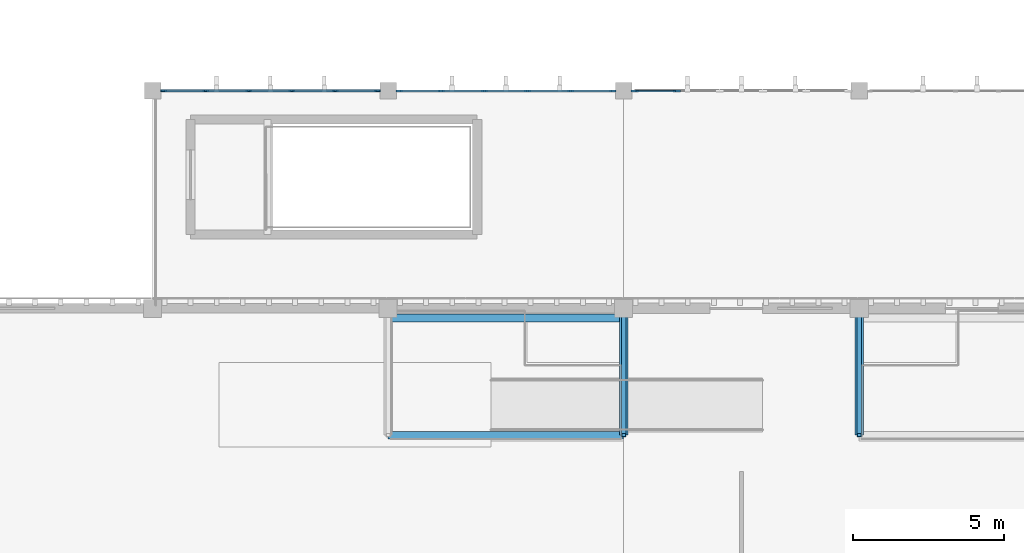
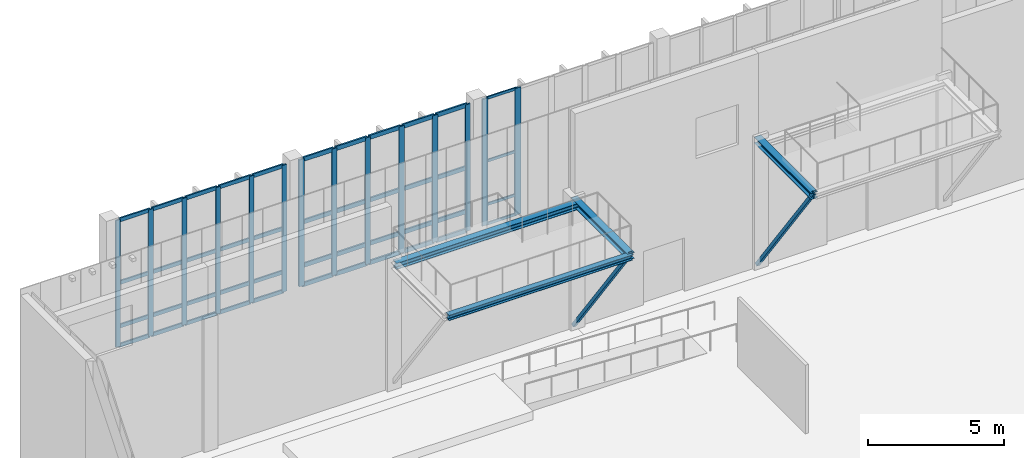
# One storey, part 31 of 105: 60 members, 4 beams, 3 elements without a shape of their own.
"""IFC4 building model written with IfcOpenShell, lengths in metres."""

import ifcopenshell
import ifcopenshell.guid

model = None  # the IFC model being written
_history = None  # IfcOwnerHistory: only IFC2X3 demands one
_inside = {}  # id of a spatial element -> (the spatial element, [elements in it])
_under = {}  # id of a project, library or spatial element -> (it, [spatial elements below it])
_declared = {}  # id of a project -> (the project, [libraries it declares])
_typed = {}  # id of a type object -> (the type object, [elements of that type])
_made_of = {}  # id of a material, layer set ... -> (it, [elements and type objects made of it])


def new_model(schema):
    """Start an empty IFC model of exactly this schema.

    Asked for "IFC4X3", IfcOpenShell would pick the latest addendum, in which some entities
    have other attributes; the version numbers below select the first issue.
    IFC2X3 requires an IfcOwnerHistory on every rooted entity: one is made here for all.
    """
    global model, _history
    if schema == "IFC4X3":
        model = ifcopenshell.file(schema_version=(4, 3, 0, 0))
    else:
        model = ifcopenshell.file(schema=schema)
    _inside.clear()
    _under.clear()
    _declared.clear()
    _typed.clear()
    _made_of.clear()
    _history = None
    if model.schema == "IFC2X3":
        org = make("IfcOrganization", Name="unknown")
        user = make(
            "IfcPersonAndOrganization",
            ThePerson=make("IfcPerson", FamilyName="unknown"),
            TheOrganization=org,
        )
        app = make(
            "IfcApplication",
            ApplicationDeveloper=org,
            Version="unknown",
            ApplicationFullName="unknown",
            ApplicationIdentifier="unknown",
        )
        _history = make(
            "IfcOwnerHistory",
            OwningUser=user,
            OwningApplication=app,
            ChangeAction="ADDED",
            CreationDate=0,
        )
    return model


def make(cls, **values):
    """One entity of the class cls with the attributes given. An attribute that is None is left unset."""
    return model.create_entity(
        cls, **{name: value for name, value in values.items() if value is not None}
    )


def rooted(cls, **values):
    """An entity with a GlobalId (a new one), such as an element, a storey or a relation."""
    return make(cls, GlobalId=ifcopenshell.guid.new(), OwnerHistory=_history, **values)


def si_unit(unit_type, name, prefix=None):
    """IfcSIUnit, for example si_unit("LENGTHUNIT", "METRE", prefix="MILLI")."""
    return make("IfcSIUnit", UnitType=unit_type, Prefix=prefix, Name=name)


def assignment(units):
    """IfcUnitAssignment: the units of a project."""
    return None if units is None else make("IfcUnitAssignment", Units=units)


def point(xyz):
    """IfcCartesianPoint."""
    return None if xyz is None else make("IfcCartesianPoint", Coordinates=xyz)


def direction(xyz):
    """IfcDirection."""
    return None if xyz is None else make("IfcDirection", DirectionRatios=xyz)


def frame(location, z_axis=None, x_axis=None):
    """IfcAxis2Placement3D, a coordinate frame: its origin and axes. An axis left out is left unset."""
    return make(
        "IfcAxis2Placement3D",
        Location=point(location),
        Axis=direction(z_axis),
        RefDirection=direction(x_axis),
    )


def frame_2d(location, x_axis=None):
    """IfcAxis2Placement2D, a coordinate frame in the plane: its origin and x axis."""
    return make(
        "IfcAxis2Placement2D", Location=point(location), RefDirection=direction(x_axis)
    )


def origin():
    """The frame at (0, 0, 0) with its axes left unset."""
    return frame((0.0, 0.0, 0.0))


def origin_2d():
    """The frame at (0, 0) in the plane with its x axis left unset."""
    return frame_2d((0.0, 0.0))


def place(relative_to, where):
    """IfcLocalPlacement: puts the frame where relative to a parent placement (None: the world)."""
    return make(
        "IfcLocalPlacement", PlacementRelTo=relative_to, RelativePlacement=where
    )


def context(
    kind, dimensions, precision=None, world=None, true_north=None, identifier=None
):
    """IfcGeometricRepresentationContext, for example the 3D "Model" context."""
    return make(
        "IfcGeometricRepresentationContext",
        ContextIdentifier=identifier,
        ContextType=kind,
        CoordinateSpaceDimension=dimensions,
        Precision=precision,
        WorldCoordinateSystem=world,
        TrueNorth=true_north,
    )


def subcontext(parent, identifier, kind, view, scale=None):
    """IfcGeometricRepresentationSubContext, for example "Body" below "Model"."""
    return make(
        "IfcGeometricRepresentationSubContext",
        ContextIdentifier=identifier,
        ContextType=kind,
        ParentContext=parent,
        TargetScale=scale,
        TargetView=view,
    )


def project(units=None, contexts=None):
    """IfcProject with its units and contexts."""
    return rooted(
        "IfcProject",
        Name="project",
        RepresentationContexts=contexts,
        UnitsInContext=assignment(units),
    )


def spatial(cls, under=None, at=None, **own):
    """A site, building, storey or space (cls), placed at a placement, below another one or the project."""
    s = rooted(cls, ObjectPlacement=at, **own)
    if under is not None:
        _under.setdefault(under.id(), (under, []))[1].append(s)
    return s


def profile(cls, at=None, kind="AREA", **sizes):
    """A parametric profile (cls). Its sizes go by their IFC names, for example OverallWidth=200.0."""
    return make(cls, ProfileType=kind, Position=at, **sizes)


def rectangle(**sizes):
    """IfcRectangleProfileDef."""
    return profile("IfcRectangleProfileDef", **sizes)


def hollow_rectangle(**sizes):
    """IfcRectangleHollowProfileDef."""
    return profile("IfcRectangleHollowProfileDef", **sizes)


def i_section(**sizes):
    """IfcIShapeProfileDef."""
    return profile("IfcIShapeProfileDef", **sizes)


def extrude(swept, where, along, depth):
    """IfcExtrudedAreaSolid: the profile swept, set in the frame where, extruded along a direction by depth."""
    return make(
        "IfcExtrudedAreaSolid",
        SweptArea=swept,
        Position=where,
        ExtrudedDirection=direction(along),
        Depth=depth,
    )


def shape(context_of_items, identifier, shape_type, items):
    """IfcShapeRepresentation: the items that make up one representation, for example the "Body"."""
    return make(
        "IfcShapeRepresentation",
        ContextOfItems=context_of_items,
        RepresentationIdentifier=identifier,
        RepresentationType=shape_type,
        Items=items,
    )


def material(Name=None, Category=None):
    """IfcMaterial."""
    return make("IfcMaterial", Name=Name, Category=Category)


def material_profile(
    of_material, cross_section, Name=None, Category=None, Priority=None
):
    """IfcMaterialProfile: a cross section and its material."""
    return make(
        "IfcMaterialProfile",
        Name=Name,
        Material=of_material,
        Profile=cross_section,
        Priority=Priority,
        Category=Category,
    )


def profile_set(profiles, Name=None, composite=None):
    """IfcMaterialProfileSet."""
    return make(
        "IfcMaterialProfileSet",
        Name=Name,
        MaterialProfiles=profiles,
        CompositeProfile=composite,
    )


def made_of(thing, what):
    """Note that an element or type object is made of a material, layer set ...; save() writes the relation."""
    if what is not None:
        _made_of.setdefault(what.id(), (what, []))[1].append(thing)
    return thing


def type_object(cls, material=None, **own):
    """A type object (cls), such as IfcWallType, which elements share."""
    return made_of(rooted(cls, **own), material)


def element(
    cls,
    number,
    at=None,
    inside=None,
    cuts=None,
    type_object=None,
    material=None,
    context=None,
    identifier="Body",
    shape_type=None,
    held_by="IfcProductDefinitionShape",
    body=None,
    shapes=None,
    **own,
):
    """One element of the class cls, such as IfcWall. Its Tag is "e" and its number.

    at: its placement. inside: the storey or other place that contains it. cuts: it is an
    opening in that element (IfcRelVoidsElement). A single representation is given by context,
    identifier, shape_type and body (its items); several are given by shapes. held_by: the class
    of the entity that holds the representations. save() writes the other relations.
    """
    e = rooted(cls, Tag="e%d" % number, ObjectPlacement=at, **own)
    if body is not None:
        shapes = [shape(context, identifier, shape_type, body)]
    if shapes is not None:
        e.Representation = make(held_by, Representations=shapes)
    if inside is not None:
        _inside.setdefault(inside.id(), (inside, []))[1].append(e)
    if cuts is not None:
        rooted(
            "IfcRelVoidsElement", RelatingBuildingElement=cuts, RelatedOpeningElement=e
        )
    if type_object is not None:
        _typed.setdefault(type_object.id(), (type_object, []))[1].append(e)
    return made_of(e, material)


def aggregate(whole, parts):
    """IfcRelAggregates: a whole, such as a stair, and the parts it consists of."""
    return rooted("IfcRelAggregates", RelatingObject=whole, RelatedObjects=parts)


def save(model, path):
    """Write the relations noted so far, then the file.

    IfcRelAggregates (storeys below a building ...), IfcRelContainedInSpatialStructure (elements
    in a storey), IfcRelDefinesByType, IfcRelAssociatesMaterial and IfcRelDeclares: one each for
    every whole, place, type object, material and project.
    """
    for whole, parts in _under.values():
        aggregate(whole, parts)
    for where, things in _inside.values():
        rooted(
            "IfcRelContainedInSpatialStructure",
            RelatedElements=things,
            RelatingStructure=where,
        )
    for kind, things in _typed.values():
        rooted("IfcRelDefinesByType", RelatedObjects=things, RelatingType=kind)
    for what, things in _made_of.values():
        rooted("IfcRelAssociatesMaterial", RelatedObjects=things, RelatingMaterial=what)
    for by, libraries in _declared.values():
        rooted("IfcRelDeclares", RelatingContext=by, RelatedDefinitions=libraries)
    model.write(path)


model = new_model("IFC4")

# Units and contexts
model_context = context("Model", 3, precision=1e-05, world=origin(), true_north=direction((0.0, 1.0)))
body_context = subcontext(model_context, "Body", "Model", "MODEL_VIEW")
ifc_project = project(units=[si_unit("LENGTHUNIT", "METRE"), si_unit("AREAUNIT", "SQUARE_METRE"), si_unit("VOLUMEUNIT", "CUBIC_METRE"), si_unit("PLANEANGLEUNIT", "RADIAN"), si_unit("MASSUNIT", "GRAM", prefix="KILO")], contexts=[model_context])

# Site, building, storey
site_placement = place(None, origin())
site = spatial("IfcSite", under=ifc_project, at=site_placement, CompositionType="ELEMENT")
building_placement = place(site_placement, origin())
building = spatial("IfcBuilding", under=site, at=building_placement, Name="Tizgana Railside Sports Hall", CompositionType="ELEMENT")
storey_placement = place(building_placement, frame((0.0, 0.0, 6.0)))
storey = spatial("IfcBuildingStorey", under=building, at=storey_placement, Name="L01", CompositionType="ELEMENT", Elevation=6.0)

# Curtain wall, members
ifc_material_1 = material(Name="Anodised aluminium and glass", Category="aluminium")
curtain_wall_type_1 = type_object("IfcCurtainWallType", Name="Unitised Curtain Wall Foyer 1300", PredefinedType="NOTDEFINED", material=ifc_material_1)
curtain_wall_1_placement = place(storey_placement, origin())
curtain_wall_1 = element("IfcCurtainWall", 1, at=curtain_wall_1_placement, inside=storey, type_object=curtain_wall_type_1, Name="L01 Curtain Wall CW-0009", PredefinedType="NOTDEFINED")
ifc_material_2 = material(Name="Anodised aluminium", Category="aluminium")
ifc_material_profile_1 = material_profile(ifc_material_2, rectangle(XDim=0.06494140625, YDim=0.199951171875, at=origin_2d()), Name="Mullion 65x200")
ifc_profile_set_1 = profile_set([ifc_material_profile_1], Name="Anodised aluminium")
member_type_1 = type_object("IfcMemberType", Name="Mullion 65x200", PredefinedType="MULLION", material=ifc_profile_set_1)
member_1_placement = place(storey_placement, frame((8.16259765625, 80.39990234375, 0.0), z_axis=(0.0, 0.0, 1.0), x_axis=(0.0, 1.0, 0.0)))
member_1 = element("IfcMember", 2, at=member_1_placement, type_object=member_type_1, Name="CW-02 mullion 1", PredefinedType="MULLION", context=body_context, shape_type="SweptSolid", body=[
    extrude(rectangle(XDim=0.06494140625, YDim=0.199951171875, at=origin_2d()), origin(), (0.0, 0.0, 1.0), 5.699951171875),
])
member_2_placement = place(storey_placement, frame((9.55810546875, 80.39990234375, 0.0), z_axis=(0.0, 0.0, 1.0), x_axis=(0.0, 1.0, 0.0)))
member_2 = element("IfcMember", 3, at=member_2_placement, type_object=member_type_1, Name="CW-02 mullion 2", PredefinedType="MULLION", context=body_context, shape_type="SweptSolid", body=[
    extrude(rectangle(XDim=0.06494140625, YDim=0.199951171875, at=origin_2d()), origin(), (0.0, 0.0, 1.0), 5.699951171875),
])
member_3_placement = place(storey_placement, frame((10.986083984375, 80.39990234375, 0.0), z_axis=(0.0, 0.0, 1.0), x_axis=(0.0, 1.0, 0.0)))
member_3 = element("IfcMember", 4, at=member_3_placement, type_object=member_type_1, Name="CW-02 mullion 3", PredefinedType="MULLION", context=body_context, shape_type="SweptSolid", body=[
    extrude(rectangle(XDim=0.06494140625, YDim=0.199951171875, at=origin_2d()), origin(), (0.0, 0.0, 1.0), 5.699951171875),
])
member_4_placement = place(storey_placement, frame((12.4140625, 80.39990234375, 0.0), z_axis=(0.0, 0.0, 1.0), x_axis=(0.0, 1.0, 0.0)))
member_4 = element("IfcMember", 5, at=member_4_placement, type_object=member_type_1, Name="CW-02 mullion 4", PredefinedType="MULLION", context=body_context, shape_type="SweptSolid", body=[
    extrude(rectangle(XDim=0.06494140625, YDim=0.199951171875, at=origin_2d()), origin(), (0.0, 0.0, 1.0), 5.699951171875),
])
member_5_placement = place(storey_placement, frame((13.842041015625, 80.39990234375, 0.0), z_axis=(0.0, 0.0, 1.0), x_axis=(0.0, 1.0, 0.0)))
member_5 = element("IfcMember", 6, at=member_5_placement, type_object=member_type_1, Name="CW-02 mullion 5", PredefinedType="MULLION", context=body_context, shape_type="SweptSolid", body=[
    extrude(rectangle(XDim=0.06494140625, YDim=0.199951171875, at=origin_2d()), origin(), (0.0, 0.0, 1.0), 5.699951171875),
])
member_6_placement = place(storey_placement, frame((15.237548828125, 80.39990234375, 0.0), z_axis=(0.0, 0.0, 1.0), x_axis=(0.0, 1.0, 0.0)))
member_6 = element("IfcMember", 7, at=member_6_placement, type_object=member_type_1, Name="CW-02 mullion 6", PredefinedType="MULLION", context=body_context, shape_type="SweptSolid", body=[
    extrude(rectangle(XDim=0.06494140625, YDim=0.199951171875, at=origin_2d()), origin(), (0.0, 0.0, 1.0), 5.699951171875),
])

curtain_wall_type_2 = type_object("IfcCurtainWallType", Name="Unitised Curtain Wall Studio 1400", PredefinedType="NOTDEFINED", material=ifc_material_1)
curtain_wall_2_placement = place(storey_placement, origin())
curtain_wall_2 = element("IfcCurtainWall", 8, at=curtain_wall_2_placement, inside=storey, type_object=curtain_wall_type_2, Name="L01 Curtain Wall CW-0010", PredefinedType="NOTDEFINED")
ifc_material_profile_2 = material_profile(ifc_material_2, rectangle(XDim=0.070068359375, YDim=0.219970703125, at=origin_2d()), Name="Mullion 70x220")
ifc_profile_set_2 = profile_set([ifc_material_profile_2], Name="Anodised aluminium")
member_type_2 = type_object("IfcMemberType", Name="Mullion 70x220", PredefinedType="MULLION", material=ifc_profile_set_2)
member_7_placement = place(storey_placement, frame((15.965087890625, 80.39990234375, 0.0), z_axis=(0.0, 0.0, 1.0), x_axis=(0.0, 1.0, 0.0)))
member_7 = element("IfcMember", 9, at=member_7_placement, type_object=member_type_2, Name="CW-03 mullion 1", PredefinedType="MULLION", context=body_context, shape_type="SweptSolid", body=[
    extrude(rectangle(XDim=0.070068359375, YDim=0.219970703125, at=origin_2d()), origin(), (0.0, 0.0, 1.0), 5.699951171875),
])
member_8_placement = place(storey_placement, frame((17.35791015625, 80.39990234375, 0.0), z_axis=(0.0, 0.0, 1.0), x_axis=(0.0, 1.0, 0.0)))
member_8 = element("IfcMember", 10, at=member_8_placement, type_object=member_type_2, Name="CW-03 mullion 2", PredefinedType="MULLION", context=body_context, shape_type="SweptSolid", body=[
    extrude(rectangle(XDim=0.070068359375, YDim=0.219970703125, at=origin_2d()), origin(), (0.0, 0.0, 1.0), 5.699951171875),
])
member_9_placement = place(storey_placement, frame((18.785888671875, 80.39990234375, 0.0), z_axis=(0.0, 0.0, 1.0), x_axis=(0.0, 1.0, 0.0)))
member_9 = element("IfcMember", 11, at=member_9_placement, type_object=member_type_2, Name="CW-03 mullion 3", PredefinedType="MULLION", context=body_context, shape_type="SweptSolid", body=[
    extrude(rectangle(XDim=0.070068359375, YDim=0.219970703125, at=origin_2d()), origin(), (0.0, 0.0, 1.0), 5.699951171875),
])
member_10_placement = place(storey_placement, frame((20.214111328125, 80.39990234375, 0.0), z_axis=(0.0, 0.0, 1.0), x_axis=(0.0, 1.0, 0.0)))
member_10 = element("IfcMember", 12, at=member_10_placement, type_object=member_type_2, Name="CW-03 mullion 4", PredefinedType="MULLION", context=body_context, shape_type="SweptSolid", body=[
    extrude(rectangle(XDim=0.070068359375, YDim=0.219970703125, at=origin_2d()), origin(), (0.0, 0.0, 1.0), 5.699951171875),
])
member_11_placement = place(storey_placement, frame((21.64208984375, 80.39990234375, 0.0), z_axis=(0.0, 0.0, 1.0), x_axis=(0.0, 1.0, 0.0)))
member_11 = element("IfcMember", 13, at=member_11_placement, type_object=member_type_2, Name="CW-03 mullion 5", PredefinedType="MULLION", context=body_context, shape_type="SweptSolid", body=[
    extrude(rectangle(XDim=0.070068359375, YDim=0.219970703125, at=origin_2d()), origin(), (0.0, 0.0, 1.0), 5.699951171875),
])
member_12_placement = place(storey_placement, frame((23.034912109375, 80.39990234375, 0.0), z_axis=(0.0, 0.0, 1.0), x_axis=(0.0, 1.0, 0.0)))
member_12 = element("IfcMember", 14, at=member_12_placement, type_object=member_type_2, Name="CW-03 mullion 6", PredefinedType="MULLION", context=body_context, shape_type="SweptSolid", body=[
    extrude(rectangle(XDim=0.070068359375, YDim=0.219970703125, at=origin_2d()), origin(), (0.0, 0.0, 1.0), 5.699951171875),
])

curtain_wall_type_3 = type_object("IfcCurtainWallType", Name="Unitised Curtain Wall Climbing 1600", PredefinedType="NOTDEFINED", material=ifc_material_1)
curtain_wall_3_placement = place(storey_placement, origin())
curtain_wall_3 = element("IfcCurtainWall", 15, at=curtain_wall_3_placement, inside=storey, type_object=curtain_wall_type_3, Name="L01 Curtain Wall CW-0011", PredefinedType="NOTDEFINED")
ifc_material_profile_3 = material_profile(ifc_material_2, rectangle(XDim=0.074951171875, YDim=0.25, at=origin_2d()), Name="Mullion 75x250")
ifc_profile_set_3 = profile_set([ifc_material_profile_3], Name="Anodised aluminium")
member_type_3 = type_object("IfcMemberType", Name="Mullion 75x250", PredefinedType="MULLION", material=ifc_profile_set_3)
member_13_placement = place(storey_placement, frame((23.767578125, 80.39990234375, 0.0), z_axis=(0.0, 0.0, 1.0), x_axis=(0.0, 1.0, 0.0)))
member_13 = element("IfcMember", 16, at=member_13_placement, type_object=member_type_3, Name="CW-04 mullion 1", PredefinedType="MULLION", context=body_context, shape_type="SweptSolid", body=[
    extrude(rectangle(XDim=0.074951171875, YDim=0.25, at=origin_2d()), origin(), (0.0, 0.0, 1.0), 5.699951171875),
])
member_14_placement = place(storey_placement, frame((25.157958984375, 80.39990234375, 0.0), z_axis=(0.0, 0.0, 1.0), x_axis=(0.0, 1.0, 0.0)))
member_14 = element("IfcMember", 17, at=member_14_placement, type_object=member_type_3, Name="CW-04 mullion 2", PredefinedType="MULLION", context=body_context, shape_type="SweptSolid", body=[
    extrude(rectangle(XDim=0.074951171875, YDim=0.25, at=origin_2d()), origin(), (0.0, 0.0, 1.0), 5.699951171875),
])

# Beams
ifc_material_3 = material(Name="Steel S355J2", Category="steel")
ifc_material_profile_4 = material_profile(ifc_material_3, i_section(OverallWidth=0.239990234375, OverallDepth=0.239990234375, WebThickness=0.010009765625, FlangeThickness=0.01708984375, FilletRadius=0.02099609375, at=origin_2d()), Name="HEB 240")
ifc_profile_set_4 = profile_set([ifc_material_profile_4], Name="Steel S355J2")
beam_type_1 = type_object("IfcBeamType", Name="Steel Beam HEB 240", PredefinedType="BEAM", material=ifc_profile_set_4)
beam_1_placement = place(storey_placement, frame((15.60009765625, 69.0, 5.64990234375), z_axis=(1.0, 0.0, 0.0), x_axis=(0.0, 1.0, 0.0)))
element("IfcBeam", 18, at=beam_1_placement, inside=storey, type_object=beam_type_1, Name="L01 BEM-1254", PredefinedType="BEAM", context=body_context, shape_type="SweptSolid", body=[
    extrude(i_section(OverallWidth=0.239990234375, OverallDepth=0.239990234375, WebThickness=0.010009765625, FlangeThickness=0.01708984375, FilletRadius=0.02099609375, at=origin_2d()), origin(), (0.0, 0.0, 1.0), 7.7998046875),
])
ifc_material_profile_5 = material_profile(ifc_material_3, i_section(OverallWidth=0.280029296875, OverallDepth=0.280029296875, WebThickness=0.010498046875, FlangeThickness=0.01806640625, FilletRadius=0.02392578125, at=origin_2d()), Name="HEB 280")
ifc_profile_set_5 = profile_set([ifc_material_profile_5], Name="Steel S355J2")
beam_type_2 = type_object("IfcBeamType", Name="Steel Beam HEB 280", PredefinedType="BEAM", material=ifc_profile_set_5)
beam_2_placement = place(storey_placement, frame((15.60009765625, 72.8798828125, 5.6298828125), z_axis=(1.0, 0.0, 0.0), x_axis=(0.0, 1.0, 0.0)))
element("IfcBeam", 19, at=beam_2_placement, inside=storey, type_object=beam_type_2, Name="L01 BEM-1253", PredefinedType="BEAM", context=body_context, shape_type="SweptSolid", body=[
    extrude(i_section(OverallWidth=0.280029296875, OverallDepth=0.280029296875, WebThickness=0.010498046875, FlangeThickness=0.01806640625, FilletRadius=0.02392578125, at=origin_2d()), origin(), (0.0, 0.0, 1.0), 7.7998046875),
])
for number, where, z_axis, x_axis, name in (
    (20, (23.39990234375, 73.199951171875, 5.6298828125), (0.0, -1.0, 0.0), (1.0, 0.0, 0.0), "L01 BEM-1256"),
    (21, (31.199951171875, 73.199951171875, 5.6298828125), (0.0, -1.0, 0.0), (1.0, 0.0, 0.0), "L01 BEM-1259"),
):
    element("IfcBeam", number, at=place(storey_placement, frame(where, z_axis=z_axis, x_axis=x_axis)), inside=storey, type_object=beam_type_2, Name=name, PredefinedType="BEAM", context=body_context, shape_type="SweptSolid", body=[
        extrude(i_section(OverallWidth=0.280029296875, OverallDepth=0.280029296875, WebThickness=0.010498046875, FlangeThickness=0.01806640625, FilletRadius=0.02392578125, at=origin_2d()), origin(), (0.0, 0.0, 1.0), 4.199951171875),
    ])

# Members
ifc_material_profile_6 = material_profile(ifc_material_3, hollow_rectangle(XDim=0.139892578125, YDim=0.139892578125, WallThickness=0.008056640625, at=origin_2d()), Name="SHS 140x140x8")
ifc_profile_set_6 = profile_set([ifc_material_profile_6], Name="Steel S355J2")
member_type_4 = type_object("IfcMemberType", Name="Steel Brace SHS 140x140x8", PredefinedType="BRACE", material=ifc_profile_set_6)
for number, where, z_axis, x_axis, name in (
    (22, (23.39990234375, 73.199951171875, 0.0), (0.0, -0.588499132235, 0.808497848704), (1.0, 0.0, 0.0), "L01 Catwalk Raker"),
    (23, (31.199951171875, 73.199951171875, 0.0), (0.0, -0.588499132235, 0.808497848704), (1.0, 0.0, 0.0), "L01 Catwalk Raker"),
):
    element("IfcMember", number, at=place(storey_placement, frame(where, z_axis=z_axis, x_axis=x_axis)), inside=storey, type_object=member_type_4, Name=name, PredefinedType="BRACE", context=body_context, shape_type="SweptSolid", body=[
        extrude(hollow_rectangle(XDim=0.139892578125, YDim=0.139892578125, WallThickness=0.008056640625, at=origin_2d()), origin(), (0.0, 0.0, 1.0), 7.13671875),
    ])

# Member
ifc_material_profile_7 = material_profile(ifc_material_2, rectangle(XDim=0.054931640625, YDim=0.1201171875, at=origin_2d()), Name="Transom 55x120")
ifc_profile_set_7 = profile_set([ifc_material_profile_7], Name="Anodised aluminium")
member_type_5 = type_object("IfcMemberType", Name="Transom 55x120", PredefinedType="USERDEFINED", material=ifc_profile_set_7)
member_15_placement = place(storey_placement, frame((23.804931640625, 80.39990234375, 0.027587890625), z_axis=(1.0, 0.0, 0.0), x_axis=(0.0, 1.0, 0.0)))
member_15 = element("IfcMember", 24, at=member_15_placement, type_object=member_type_5, Name="CW-04 transom 1.1", ObjectType="TRANSOM", PredefinedType="USERDEFINED", context=body_context, shape_type="SweptSolid", body=[
    extrude(rectangle(XDim=0.054931640625, YDim=0.1201171875, at=origin_2d()), origin(), (0.0, 0.0, 1.0), 1.315673828125),
])

member_16_placement = place(storey_placement, frame((23.804931640625, 80.39990234375, 0.89990234375), z_axis=(1.0, 0.0, 0.0), x_axis=(0.0, 1.0, 0.0)))
member_16 = element("IfcMember", 25, at=member_16_placement, type_object=member_type_5, Name="CW-04 transom 1.2", ObjectType="TRANSOM", PredefinedType="USERDEFINED", context=body_context, shape_type="SweptSolid", body=[
    extrude(rectangle(XDim=0.054931640625, YDim=0.1201171875, at=origin_2d()), origin(), (0.0, 0.0, 1.0), 1.315673828125),
])

member_17_placement = place(storey_placement, frame((23.804931640625, 80.39990234375, 2.85009765625), z_axis=(1.0, 0.0, 0.0), x_axis=(0.0, 1.0, 0.0)))
member_17 = element("IfcMember", 26, at=member_17_placement, type_object=member_type_5, Name="CW-04 transom 1.3", ObjectType="TRANSOM", PredefinedType="USERDEFINED", context=body_context, shape_type="SweptSolid", body=[
    extrude(rectangle(XDim=0.054931640625, YDim=0.1201171875, at=origin_2d()), origin(), (0.0, 0.0, 1.0), 1.315673828125),
])

member_18_placement = place(storey_placement, frame((23.804931640625, 80.39990234375, 5.672607421875), z_axis=(1.0, 0.0, 0.0), x_axis=(0.0, 1.0, 0.0)))
member_18 = element("IfcMember", 27, at=member_18_placement, type_object=member_type_5, Name="CW-04 transom 1.4", ObjectType="TRANSOM", PredefinedType="USERDEFINED", context=body_context, shape_type="SweptSolid", body=[
    extrude(rectangle(XDim=0.054931640625, YDim=0.1201171875, at=origin_2d()), origin(), (0.0, 0.0, 1.0), 1.315673828125),
])

aggregate(curtain_wall_3, [member_13, member_14, member_15, member_16, member_17, member_18])

ifc_material_profile_8 = material_profile(ifc_material_2, rectangle(XDim=0.06494140625, YDim=0.169921875, at=origin_2d()), Name="Transom 65x170")
ifc_profile_set_8 = profile_set([ifc_material_profile_8], Name="Anodised aluminium")
member_type_6 = type_object("IfcMemberType", Name="Transom 65x170", PredefinedType="USERDEFINED", material=ifc_profile_set_8)
member_19_placement = place(storey_placement, frame((8.195068359375, 80.39990234375, 0.032470703125), z_axis=(1.0, 0.0, 0.0), x_axis=(0.0, 1.0, 0.0)))
member_19 = element("IfcMember", 28, at=member_19_placement, type_object=member_type_6, Name="CW-02 transom 1.1", ObjectType="TRANSOM", PredefinedType="USERDEFINED", context=body_context, shape_type="SweptSolid", body=[
    extrude(rectangle(XDim=0.06494140625, YDim=0.169921875, at=origin_2d()), origin(), (0.0, 0.0, 1.0), 1.330322265625),
])

member_20_placement = place(storey_placement, frame((8.195068359375, 80.39990234375, 0.89990234375), z_axis=(1.0, 0.0, 0.0), x_axis=(0.0, 1.0, 0.0)))
member_20 = element("IfcMember", 29, at=member_20_placement, type_object=member_type_6, Name="CW-02 transom 1.2", ObjectType="TRANSOM", PredefinedType="USERDEFINED", context=body_context, shape_type="SweptSolid", body=[
    extrude(rectangle(XDim=0.06494140625, YDim=0.169921875, at=origin_2d()), origin(), (0.0, 0.0, 1.0), 1.330322265625),
])

member_21_placement = place(storey_placement, frame((8.195068359375, 80.39990234375, 2.85009765625), z_axis=(1.0, 0.0, 0.0), x_axis=(0.0, 1.0, 0.0)))
member_21 = element("IfcMember", 30, at=member_21_placement, type_object=member_type_6, Name="CW-02 transom 1.3", ObjectType="TRANSOM", PredefinedType="USERDEFINED", context=body_context, shape_type="SweptSolid", body=[
    extrude(rectangle(XDim=0.06494140625, YDim=0.169921875, at=origin_2d()), origin(), (0.0, 0.0, 1.0), 1.330322265625),
])

member_22_placement = place(storey_placement, frame((8.195068359375, 80.39990234375, 5.66748046875), z_axis=(1.0, 0.0, 0.0), x_axis=(0.0, 1.0, 0.0)))
member_22 = element("IfcMember", 31, at=member_22_placement, type_object=member_type_6, Name="CW-02 transom 1.4", ObjectType="TRANSOM", PredefinedType="USERDEFINED", context=body_context, shape_type="SweptSolid", body=[
    extrude(rectangle(XDim=0.06494140625, YDim=0.169921875, at=origin_2d()), origin(), (0.0, 0.0, 1.0), 1.330322265625),
])

member_23_placement = place(storey_placement, frame((9.590576171875, 80.39990234375, 0.032470703125), z_axis=(1.0, 0.0, 0.0), x_axis=(0.0, 1.0, 0.0)))
member_23 = element("IfcMember", 32, at=member_23_placement, type_object=member_type_6, Name="CW-02 transom 2.1", ObjectType="TRANSOM", PredefinedType="USERDEFINED", context=body_context, shape_type="SweptSolid", body=[
    extrude(rectangle(XDim=0.06494140625, YDim=0.169921875, at=origin_2d()), origin(), (0.0, 0.0, 1.0), 1.363037109375),
])

member_24_placement = place(storey_placement, frame((9.590576171875, 80.39990234375, 0.89990234375), z_axis=(1.0, 0.0, 0.0), x_axis=(0.0, 1.0, 0.0)))
member_24 = element("IfcMember", 33, at=member_24_placement, type_object=member_type_6, Name="CW-02 transom 2.2", ObjectType="TRANSOM", PredefinedType="USERDEFINED", context=body_context, shape_type="SweptSolid", body=[
    extrude(rectangle(XDim=0.06494140625, YDim=0.169921875, at=origin_2d()), origin(), (0.0, 0.0, 1.0), 1.363037109375),
])

member_25_placement = place(storey_placement, frame((9.590576171875, 80.39990234375, 2.85009765625), z_axis=(1.0, 0.0, 0.0), x_axis=(0.0, 1.0, 0.0)))
member_25 = element("IfcMember", 34, at=member_25_placement, type_object=member_type_6, Name="CW-02 transom 2.3", ObjectType="TRANSOM", PredefinedType="USERDEFINED", context=body_context, shape_type="SweptSolid", body=[
    extrude(rectangle(XDim=0.06494140625, YDim=0.169921875, at=origin_2d()), origin(), (0.0, 0.0, 1.0), 1.363037109375),
])

member_26_placement = place(storey_placement, frame((9.590576171875, 80.39990234375, 5.66748046875), z_axis=(1.0, 0.0, 0.0), x_axis=(0.0, 1.0, 0.0)))
member_26 = element("IfcMember", 35, at=member_26_placement, type_object=member_type_6, Name="CW-02 transom 2.4", ObjectType="TRANSOM", PredefinedType="USERDEFINED", context=body_context, shape_type="SweptSolid", body=[
    extrude(rectangle(XDim=0.06494140625, YDim=0.169921875, at=origin_2d()), origin(), (0.0, 0.0, 1.0), 1.363037109375),
])

member_27_placement = place(storey_placement, frame((11.0185546875, 80.39990234375, 0.032470703125), z_axis=(1.0, 0.0, 0.0), x_axis=(0.0, 1.0, 0.0)))
member_27 = element("IfcMember", 36, at=member_27_placement, type_object=member_type_6, Name="CW-02 transom 3.1", ObjectType="TRANSOM", PredefinedType="USERDEFINED", context=body_context, shape_type="SweptSolid", body=[
    extrude(rectangle(XDim=0.06494140625, YDim=0.169921875, at=origin_2d()), origin(), (0.0, 0.0, 1.0), 1.363037109375),
])

member_28_placement = place(storey_placement, frame((11.0185546875, 80.39990234375, 0.89990234375), z_axis=(1.0, 0.0, 0.0), x_axis=(0.0, 1.0, 0.0)))
member_28 = element("IfcMember", 37, at=member_28_placement, type_object=member_type_6, Name="CW-02 transom 3.2", ObjectType="TRANSOM", PredefinedType="USERDEFINED", context=body_context, shape_type="SweptSolid", body=[
    extrude(rectangle(XDim=0.06494140625, YDim=0.169921875, at=origin_2d()), origin(), (0.0, 0.0, 1.0), 1.363037109375),
])

member_29_placement = place(storey_placement, frame((11.0185546875, 80.39990234375, 2.85009765625), z_axis=(1.0, 0.0, 0.0), x_axis=(0.0, 1.0, 0.0)))
member_29 = element("IfcMember", 38, at=member_29_placement, type_object=member_type_6, Name="CW-02 transom 3.3", ObjectType="TRANSOM", PredefinedType="USERDEFINED", context=body_context, shape_type="SweptSolid", body=[
    extrude(rectangle(XDim=0.06494140625, YDim=0.169921875, at=origin_2d()), origin(), (0.0, 0.0, 1.0), 1.363037109375),
])

member_30_placement = place(storey_placement, frame((11.0185546875, 80.39990234375, 5.66748046875), z_axis=(1.0, 0.0, 0.0), x_axis=(0.0, 1.0, 0.0)))
member_30 = element("IfcMember", 39, at=member_30_placement, type_object=member_type_6, Name="CW-02 transom 3.4", ObjectType="TRANSOM", PredefinedType="USERDEFINED", context=body_context, shape_type="SweptSolid", body=[
    extrude(rectangle(XDim=0.06494140625, YDim=0.169921875, at=origin_2d()), origin(), (0.0, 0.0, 1.0), 1.363037109375),
])

member_31_placement = place(storey_placement, frame((12.446533203125, 80.39990234375, 0.032470703125), z_axis=(1.0, 0.0, 0.0), x_axis=(0.0, 1.0, 0.0)))
member_31 = element("IfcMember", 40, at=member_31_placement, type_object=member_type_6, Name="CW-02 transom 4.1", ObjectType="TRANSOM", PredefinedType="USERDEFINED", context=body_context, shape_type="SweptSolid", body=[
    extrude(rectangle(XDim=0.06494140625, YDim=0.169921875, at=origin_2d()), origin(), (0.0, 0.0, 1.0), 1.363037109375),
])

member_32_placement = place(storey_placement, frame((12.446533203125, 80.39990234375, 0.89990234375), z_axis=(1.0, 0.0, 0.0), x_axis=(0.0, 1.0, 0.0)))
member_32 = element("IfcMember", 41, at=member_32_placement, type_object=member_type_6, Name="CW-02 transom 4.2", ObjectType="TRANSOM", PredefinedType="USERDEFINED", context=body_context, shape_type="SweptSolid", body=[
    extrude(rectangle(XDim=0.06494140625, YDim=0.169921875, at=origin_2d()), origin(), (0.0, 0.0, 1.0), 1.363037109375),
])

member_33_placement = place(storey_placement, frame((12.446533203125, 80.39990234375, 2.85009765625), z_axis=(1.0, 0.0, 0.0), x_axis=(0.0, 1.0, 0.0)))
member_33 = element("IfcMember", 42, at=member_33_placement, type_object=member_type_6, Name="CW-02 transom 4.3", ObjectType="TRANSOM", PredefinedType="USERDEFINED", context=body_context, shape_type="SweptSolid", body=[
    extrude(rectangle(XDim=0.06494140625, YDim=0.169921875, at=origin_2d()), origin(), (0.0, 0.0, 1.0), 1.363037109375),
])

member_34_placement = place(storey_placement, frame((12.446533203125, 80.39990234375, 5.66748046875), z_axis=(1.0, 0.0, 0.0), x_axis=(0.0, 1.0, 0.0)))
member_34 = element("IfcMember", 43, at=member_34_placement, type_object=member_type_6, Name="CW-02 transom 4.4", ObjectType="TRANSOM", PredefinedType="USERDEFINED", context=body_context, shape_type="SweptSolid", body=[
    extrude(rectangle(XDim=0.06494140625, YDim=0.169921875, at=origin_2d()), origin(), (0.0, 0.0, 1.0), 1.363037109375),
])

member_35_placement = place(storey_placement, frame((13.87451171875, 80.39990234375, 0.032470703125), z_axis=(1.0, 0.0, 0.0), x_axis=(0.0, 1.0, 0.0)))
member_35 = element("IfcMember", 44, at=member_35_placement, type_object=member_type_6, Name="CW-02 transom 5.1", ObjectType="TRANSOM", PredefinedType="USERDEFINED", context=body_context, shape_type="SweptSolid", body=[
    extrude(rectangle(XDim=0.06494140625, YDim=0.169921875, at=origin_2d()), origin(), (0.0, 0.0, 1.0), 1.33056640625),
])

member_36_placement = place(storey_placement, frame((13.87451171875, 80.39990234375, 0.89990234375), z_axis=(1.0, 0.0, 0.0), x_axis=(0.0, 1.0, 0.0)))
member_36 = element("IfcMember", 45, at=member_36_placement, type_object=member_type_6, Name="CW-02 transom 5.2", ObjectType="TRANSOM", PredefinedType="USERDEFINED", context=body_context, shape_type="SweptSolid", body=[
    extrude(rectangle(XDim=0.06494140625, YDim=0.169921875, at=origin_2d()), origin(), (0.0, 0.0, 1.0), 1.33056640625),
])

member_37_placement = place(storey_placement, frame((13.87451171875, 80.39990234375, 2.85009765625), z_axis=(1.0, 0.0, 0.0), x_axis=(0.0, 1.0, 0.0)))
member_37 = element("IfcMember", 46, at=member_37_placement, type_object=member_type_6, Name="CW-02 transom 5.3", ObjectType="TRANSOM", PredefinedType="USERDEFINED", context=body_context, shape_type="SweptSolid", body=[
    extrude(rectangle(XDim=0.06494140625, YDim=0.169921875, at=origin_2d()), origin(), (0.0, 0.0, 1.0), 1.33056640625),
])

member_38_placement = place(storey_placement, frame((13.87451171875, 80.39990234375, 5.66748046875), z_axis=(1.0, 0.0, 0.0), x_axis=(0.0, 1.0, 0.0)))
member_38 = element("IfcMember", 47, at=member_38_placement, type_object=member_type_6, Name="CW-02 transom 5.4", ObjectType="TRANSOM", PredefinedType="USERDEFINED", context=body_context, shape_type="SweptSolid", body=[
    extrude(rectangle(XDim=0.06494140625, YDim=0.169921875, at=origin_2d()), origin(), (0.0, 0.0, 1.0), 1.33056640625),
])

aggregate(curtain_wall_1, [member_1, member_2, member_3, member_4, member_5, member_6, member_19, member_20, member_21, member_22, member_23, member_24, member_25, member_26, member_27, member_28, member_29, member_30, member_31, member_32, member_33, member_34, member_35, member_36, member_37, member_38])

ifc_material_profile_9 = material_profile(ifc_material_2, rectangle(XDim=0.070068359375, YDim=0.18994140625, at=origin_2d()), Name="Transom 70x190")
ifc_profile_set_9 = profile_set([ifc_material_profile_9], Name="Anodised aluminium")
member_type_7 = type_object("IfcMemberType", Name="Transom 70x190", PredefinedType="USERDEFINED", material=ifc_profile_set_9)
member_39_placement = place(storey_placement, frame((16.0, 80.39990234375, 0.034912109375), z_axis=(1.0, 0.0, 0.0), x_axis=(0.0, 1.0, 0.0)))
member_39 = element("IfcMember", 48, at=member_39_placement, type_object=member_type_7, Name="CW-03 transom 1.1", ObjectType="TRANSOM", PredefinedType="USERDEFINED", context=body_context, shape_type="SweptSolid", body=[
    extrude(rectangle(XDim=0.070068359375, YDim=0.18994140625, at=origin_2d()), origin(), (0.0, 0.0, 1.0), 1.322998046875),
])

member_40_placement = place(storey_placement, frame((16.0, 80.39990234375, 0.89990234375), z_axis=(1.0, 0.0, 0.0), x_axis=(0.0, 1.0, 0.0)))
member_40 = element("IfcMember", 49, at=member_40_placement, type_object=member_type_7, Name="CW-03 transom 1.2", ObjectType="TRANSOM", PredefinedType="USERDEFINED", context=body_context, shape_type="SweptSolid", body=[
    extrude(rectangle(XDim=0.070068359375, YDim=0.18994140625, at=origin_2d()), origin(), (0.0, 0.0, 1.0), 1.322998046875),
])

member_41_placement = place(storey_placement, frame((16.0, 80.39990234375, 2.85009765625), z_axis=(1.0, 0.0, 0.0), x_axis=(0.0, 1.0, 0.0)))
member_41 = element("IfcMember", 50, at=member_41_placement, type_object=member_type_7, Name="CW-03 transom 1.3", ObjectType="TRANSOM", PredefinedType="USERDEFINED", context=body_context, shape_type="SweptSolid", body=[
    extrude(rectangle(XDim=0.070068359375, YDim=0.18994140625, at=origin_2d()), origin(), (0.0, 0.0, 1.0), 1.322998046875),
])

member_42_placement = place(storey_placement, frame((16.0, 80.39990234375, 5.6650390625), z_axis=(1.0, 0.0, 0.0), x_axis=(0.0, 1.0, 0.0)))
member_42 = element("IfcMember", 51, at=member_42_placement, type_object=member_type_7, Name="CW-03 transom 1.4", ObjectType="TRANSOM", PredefinedType="USERDEFINED", context=body_context, shape_type="SweptSolid", body=[
    extrude(rectangle(XDim=0.070068359375, YDim=0.18994140625, at=origin_2d()), origin(), (0.0, 0.0, 1.0), 1.322998046875),
])

member_43_placement = place(storey_placement, frame((17.39306640625, 80.39990234375, 0.034912109375), z_axis=(1.0, 0.0, 0.0), x_axis=(0.0, 1.0, 0.0)))
member_43 = element("IfcMember", 52, at=member_43_placement, type_object=member_type_7, Name="CW-03 transom 2.1", ObjectType="TRANSOM", PredefinedType="USERDEFINED", context=body_context, shape_type="SweptSolid", body=[
    extrude(rectangle(XDim=0.070068359375, YDim=0.18994140625, at=origin_2d()), origin(), (0.0, 0.0, 1.0), 1.35791015625),
])

member_44_placement = place(storey_placement, frame((17.39306640625, 80.39990234375, 0.89990234375), z_axis=(1.0, 0.0, 0.0), x_axis=(0.0, 1.0, 0.0)))
member_44 = element("IfcMember", 53, at=member_44_placement, type_object=member_type_7, Name="CW-03 transom 2.2", ObjectType="TRANSOM", PredefinedType="USERDEFINED", context=body_context, shape_type="SweptSolid", body=[
    extrude(rectangle(XDim=0.070068359375, YDim=0.18994140625, at=origin_2d()), origin(), (0.0, 0.0, 1.0), 1.35791015625),
])

member_45_placement = place(storey_placement, frame((17.39306640625, 80.39990234375, 2.85009765625), z_axis=(1.0, 0.0, 0.0), x_axis=(0.0, 1.0, 0.0)))
member_45 = element("IfcMember", 54, at=member_45_placement, type_object=member_type_7, Name="CW-03 transom 2.3", ObjectType="TRANSOM", PredefinedType="USERDEFINED", context=body_context, shape_type="SweptSolid", body=[
    extrude(rectangle(XDim=0.070068359375, YDim=0.18994140625, at=origin_2d()), origin(), (0.0, 0.0, 1.0), 1.35791015625),
])

member_46_placement = place(storey_placement, frame((17.39306640625, 80.39990234375, 5.6650390625), z_axis=(1.0, 0.0, 0.0), x_axis=(0.0, 1.0, 0.0)))
member_46 = element("IfcMember", 55, at=member_46_placement, type_object=member_type_7, Name="CW-03 transom 2.4", ObjectType="TRANSOM", PredefinedType="USERDEFINED", context=body_context, shape_type="SweptSolid", body=[
    extrude(rectangle(XDim=0.070068359375, YDim=0.18994140625, at=origin_2d()), origin(), (0.0, 0.0, 1.0), 1.35791015625),
])

member_47_placement = place(storey_placement, frame((18.821044921875, 80.39990234375, 0.034912109375), z_axis=(1.0, 0.0, 0.0), x_axis=(0.0, 1.0, 0.0)))
member_47 = element("IfcMember", 56, at=member_47_placement, type_object=member_type_7, Name="CW-03 transom 3.1", ObjectType="TRANSOM", PredefinedType="USERDEFINED", context=body_context, shape_type="SweptSolid", body=[
    extrude(rectangle(XDim=0.070068359375, YDim=0.18994140625, at=origin_2d()), origin(), (0.0, 0.0, 1.0), 1.35791015625),
])

member_48_placement = place(storey_placement, frame((18.821044921875, 80.39990234375, 0.89990234375), z_axis=(1.0, 0.0, 0.0), x_axis=(0.0, 1.0, 0.0)))
member_48 = element("IfcMember", 57, at=member_48_placement, type_object=member_type_7, Name="CW-03 transom 3.2", ObjectType="TRANSOM", PredefinedType="USERDEFINED", context=body_context, shape_type="SweptSolid", body=[
    extrude(rectangle(XDim=0.070068359375, YDim=0.18994140625, at=origin_2d()), origin(), (0.0, 0.0, 1.0), 1.35791015625),
])

member_49_placement = place(storey_placement, frame((18.821044921875, 80.39990234375, 2.85009765625), z_axis=(1.0, 0.0, 0.0), x_axis=(0.0, 1.0, 0.0)))
member_49 = element("IfcMember", 58, at=member_49_placement, type_object=member_type_7, Name="CW-03 transom 3.3", ObjectType="TRANSOM", PredefinedType="USERDEFINED", context=body_context, shape_type="SweptSolid", body=[
    extrude(rectangle(XDim=0.070068359375, YDim=0.18994140625, at=origin_2d()), origin(), (0.0, 0.0, 1.0), 1.35791015625),
])

member_50_placement = place(storey_placement, frame((18.821044921875, 80.39990234375, 5.6650390625), z_axis=(1.0, 0.0, 0.0), x_axis=(0.0, 1.0, 0.0)))
member_50 = element("IfcMember", 59, at=member_50_placement, type_object=member_type_7, Name="CW-03 transom 3.4", ObjectType="TRANSOM", PredefinedType="USERDEFINED", context=body_context, shape_type="SweptSolid", body=[
    extrude(rectangle(XDim=0.070068359375, YDim=0.18994140625, at=origin_2d()), origin(), (0.0, 0.0, 1.0), 1.35791015625),
])

member_51_placement = place(storey_placement, frame((20.2490234375, 80.39990234375, 0.034912109375), z_axis=(1.0, 0.0, 0.0), x_axis=(0.0, 1.0, 0.0)))
member_51 = element("IfcMember", 60, at=member_51_placement, type_object=member_type_7, Name="CW-03 transom 4.1", ObjectType="TRANSOM", PredefinedType="USERDEFINED", context=body_context, shape_type="SweptSolid", body=[
    extrude(rectangle(XDim=0.070068359375, YDim=0.18994140625, at=origin_2d()), origin(), (0.0, 0.0, 1.0), 1.35791015625),
])

member_52_placement = place(storey_placement, frame((20.2490234375, 80.39990234375, 0.89990234375), z_axis=(1.0, 0.0, 0.0), x_axis=(0.0, 1.0, 0.0)))
member_52 = element("IfcMember", 61, at=member_52_placement, type_object=member_type_7, Name="CW-03 transom 4.2", ObjectType="TRANSOM", PredefinedType="USERDEFINED", context=body_context, shape_type="SweptSolid", body=[
    extrude(rectangle(XDim=0.070068359375, YDim=0.18994140625, at=origin_2d()), origin(), (0.0, 0.0, 1.0), 1.35791015625),
])

member_53_placement = place(storey_placement, frame((20.2490234375, 80.39990234375, 2.85009765625), z_axis=(1.0, 0.0, 0.0), x_axis=(0.0, 1.0, 0.0)))
member_53 = element("IfcMember", 62, at=member_53_placement, type_object=member_type_7, Name="CW-03 transom 4.3", ObjectType="TRANSOM", PredefinedType="USERDEFINED", context=body_context, shape_type="SweptSolid", body=[
    extrude(rectangle(XDim=0.070068359375, YDim=0.18994140625, at=origin_2d()), origin(), (0.0, 0.0, 1.0), 1.35791015625),
])

member_54_placement = place(storey_placement, frame((20.2490234375, 80.39990234375, 5.6650390625), z_axis=(1.0, 0.0, 0.0), x_axis=(0.0, 1.0, 0.0)))
member_54 = element("IfcMember", 63, at=member_54_placement, type_object=member_type_7, Name="CW-03 transom 4.4", ObjectType="TRANSOM", PredefinedType="USERDEFINED", context=body_context, shape_type="SweptSolid", body=[
    extrude(rectangle(XDim=0.070068359375, YDim=0.18994140625, at=origin_2d()), origin(), (0.0, 0.0, 1.0), 1.35791015625),
])

member_55_placement = place(storey_placement, frame((21.677001953125, 80.39990234375, 0.034912109375), z_axis=(1.0, 0.0, 0.0), x_axis=(0.0, 1.0, 0.0)))
member_55 = element("IfcMember", 64, at=member_55_placement, type_object=member_type_7, Name="CW-03 transom 5.1", ObjectType="TRANSOM", PredefinedType="USERDEFINED", context=body_context, shape_type="SweptSolid", body=[
    extrude(rectangle(XDim=0.070068359375, YDim=0.18994140625, at=origin_2d()), origin(), (0.0, 0.0, 1.0), 1.322998046875),
])

member_56_placement = place(storey_placement, frame((21.677001953125, 80.39990234375, 0.89990234375), z_axis=(1.0, 0.0, 0.0), x_axis=(0.0, 1.0, 0.0)))
member_56 = element("IfcMember", 65, at=member_56_placement, type_object=member_type_7, Name="CW-03 transom 5.2", ObjectType="TRANSOM", PredefinedType="USERDEFINED", context=body_context, shape_type="SweptSolid", body=[
    extrude(rectangle(XDim=0.070068359375, YDim=0.18994140625, at=origin_2d()), origin(), (0.0, 0.0, 1.0), 1.322998046875),
])

member_57_placement = place(storey_placement, frame((21.677001953125, 80.39990234375, 2.85009765625), z_axis=(1.0, 0.0, 0.0), x_axis=(0.0, 1.0, 0.0)))
member_57 = element("IfcMember", 66, at=member_57_placement, type_object=member_type_7, Name="CW-03 transom 5.3", ObjectType="TRANSOM", PredefinedType="USERDEFINED", context=body_context, shape_type="SweptSolid", body=[
    extrude(rectangle(XDim=0.070068359375, YDim=0.18994140625, at=origin_2d()), origin(), (0.0, 0.0, 1.0), 1.322998046875),
])

member_58_placement = place(storey_placement, frame((21.677001953125, 80.39990234375, 5.6650390625), z_axis=(1.0, 0.0, 0.0), x_axis=(0.0, 1.0, 0.0)))
member_58 = element("IfcMember", 67, at=member_58_placement, type_object=member_type_7, Name="CW-03 transom 5.4", ObjectType="TRANSOM", PredefinedType="USERDEFINED", context=body_context, shape_type="SweptSolid", body=[
    extrude(rectangle(XDim=0.070068359375, YDim=0.18994140625, at=origin_2d()), origin(), (0.0, 0.0, 1.0), 1.322998046875),
])

aggregate(curtain_wall_2, [member_7, member_8, member_9, member_10, member_11, member_12, member_39, member_40, member_41, member_42, member_43, member_44, member_45, member_46, member_47, member_48, member_49, member_50, member_51, member_52, member_53, member_54, member_55, member_56, member_57, member_58])

save(model, "model.ifc")
